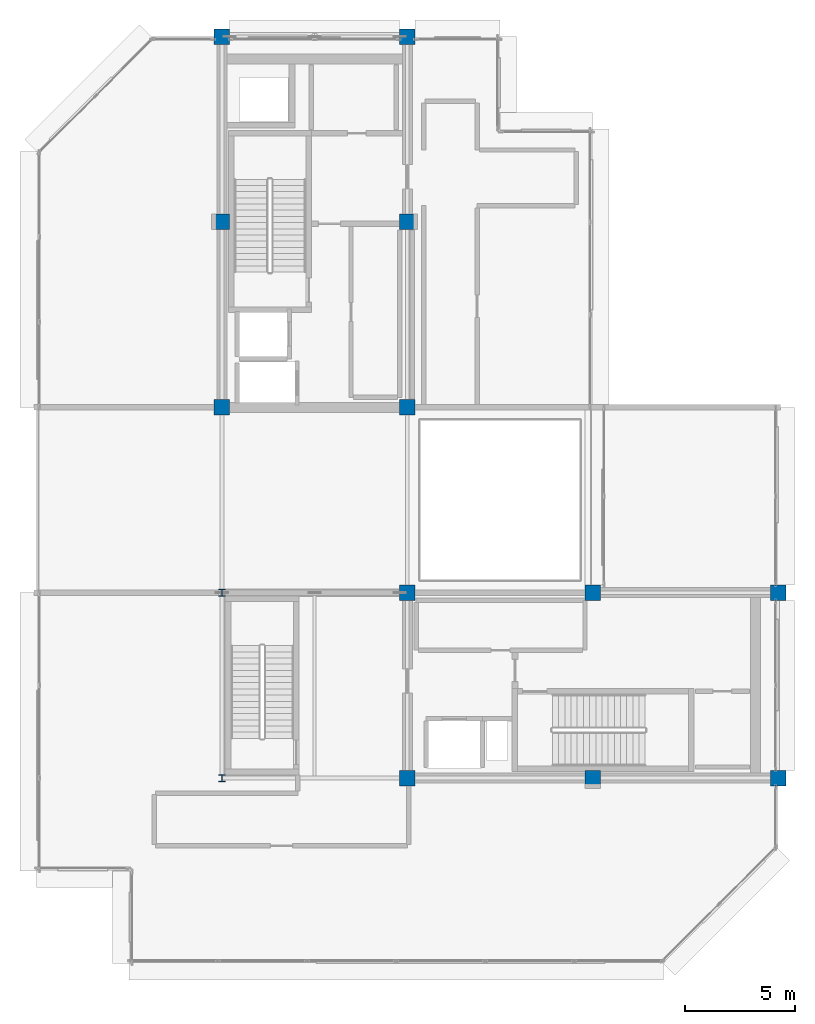
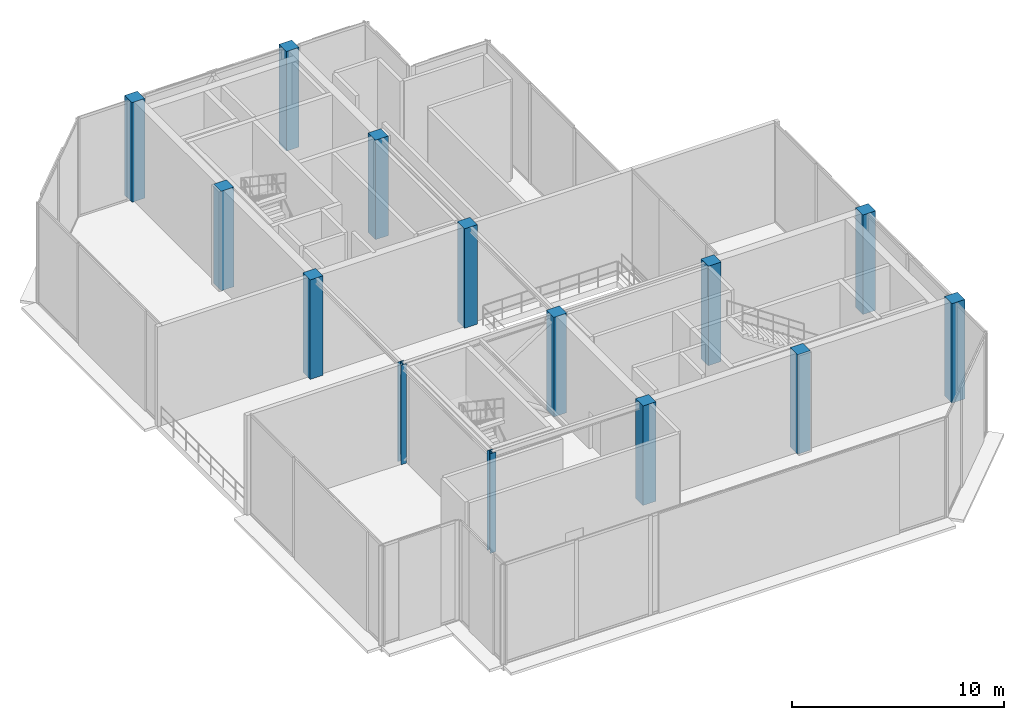
# One storey, part 1 of 19: 14 columns.
"""IFC4 building model written with IfcOpenShell, lengths in metres."""

from ifc_helpers import new_model, si_unit, direction, frame, origin, origin_2d, place, context, subcontext, project, spatial, rectangle, i_section, extrude, material, material_profile, profile_set, type_object, element, save


model = new_model("IFC4")

# Units and contexts
model_context = context("Model", 3, precision=1e-05, world=origin(), true_north=direction((0.0, 1.0)))
body_context = subcontext(model_context, "Body", "Model", "MODEL_VIEW")
ifc_project = project(units=[si_unit("LENGTHUNIT", "METRE"), si_unit("AREAUNIT", "SQUARE_METRE"), si_unit("VOLUMEUNIT", "CUBIC_METRE"), si_unit("PLANEANGLEUNIT", "RADIAN"), si_unit("MASSUNIT", "GRAM", prefix="KILO")], contexts=[model_context])

# Site, building, storey
site_placement = place(None, origin())
site = spatial("IfcSite", under=ifc_project, at=site_placement, CompositionType="ELEMENT")
building_placement = place(site_placement, origin())
building = spatial("IfcBuilding", under=site, at=building_placement, Name="Nerrivon Quay Data Exchange", CompositionType="ELEMENT")
storey_placement = place(building_placement, frame((0.0, 0.0, 327.0)))
storey = spatial("IfcBuildingStorey", under=building, at=storey_placement, Name="L78", CompositionType="ELEMENT", Elevation=327.0)

# Columns
ifc_material_1 = material(Name="Concrete N50 (50 MPa)", Category="concrete")
ifc_material_profile_1 = material_profile(ifc_material_1, rectangle(XDim=0.699951171875, YDim=0.699951171875, at=origin_2d()), Name="RC-COL-700x700")
ifc_profile_set_1 = profile_set([ifc_material_profile_1], Name="Concrete N50 (50 MPa)")
column_type_1 = type_object("IfcColumnType", Name="COL-C6-700", PredefinedType="COLUMN", material=ifc_profile_set_1)
for number, where, z_axis, x_axis, name in (
    (1, (8.39990234375, 25.199951171875, 0.0), (0.0, 0.0, 1.0), (1.0, 0.0, 0.0), "L78 Column (8.4,25.2)"),
    (2, (8.39990234375, 33.60009765625, 0.0), (0.0, 0.0, 1.0), (1.0, 0.0, 0.0), "L78 Column (8.4,33.6)"),
    (3, (8.39990234375, 42.0, 0.0), (0.0, 0.0, 1.0), (1.0, 0.0, 0.0), "L78 Column (8.4,42.0)"),
    (4, (16.800048828125, 8.39990234375, 0.0), (0.0, 0.0, 1.0), (1.0, 0.0, 0.0), "L78 Column (16.8,8.4)"),
    (5, (16.800048828125, 16.800048828125, 0.0), (0.0, 0.0, 1.0), (1.0, 0.0, 0.0), "L78 Column (16.8,16.8)"),
    (6, (16.800048828125, 25.199951171875, 0.0), (0.0, 0.0, 1.0), (1.0, 0.0, 0.0), "L78 Column (16.8,25.2)"),
    (7, (16.800048828125, 33.60009765625, 0.0), (0.0, 0.0, 1.0), (1.0, 0.0, 0.0), "L78 Column (16.8,33.6)"),
    (8, (16.800048828125, 42.0, 0.0), (0.0, 0.0, 1.0), (1.0, 0.0, 0.0), "L78 Column (16.8,42.0)"),
    (9, (25.199951171875, 8.39990234375, 0.0), (0.0, 0.0, 1.0), (1.0, 0.0, 0.0), "L78 Column (25.2,8.4)"),
    (10, (25.199951171875, 16.800048828125, 0.0), (0.0, 0.0, 1.0), (1.0, 0.0, 0.0), "L78 Column (25.2,16.8)"),
    (11, (33.60009765625, 8.39990234375, 0.0), (0.0, 0.0, 1.0), (1.0, 0.0, 0.0), "L78 Column (33.6,8.4)"),
    (12, (33.60009765625, 16.800048828125, 0.0), (0.0, 0.0, 1.0), (1.0, 0.0, 0.0), "L78 Column (33.6,16.8)"),
):
    element("IfcColumn", number, at=place(storey_placement, frame(where, z_axis=z_axis, x_axis=x_axis)), inside=storey, type_object=column_type_1, Name=name, PredefinedType="COLUMN", context=body_context, shape_type="SweptSolid", body=[
        extrude(rectangle(XDim=0.699951171875, YDim=0.699951171875, at=origin_2d()), origin(), (0.0, 0.0, 1.0), 5.72509765625),
    ])
ifc_material_2 = material(Name="Steel Grade 350", Category="steel")
ifc_material_profile_2 = material_profile(ifc_material_2, i_section(OverallWidth=0.306884765625, OverallDepth=0.31494140625, WebThickness=0.011962890625, FlangeThickness=0.018798828125, FilletRadius=0.0166015625, at=origin_2d()), Name="310UC118")
ifc_profile_set_2 = profile_set([ifc_material_profile_2], Name="Steel Grade 350")
column_type_2 = type_object("IfcColumnType", Name="COL-SC5-310UC118", PredefinedType="COLUMN", material=ifc_profile_set_2)
for number, where, z_axis, x_axis, name in (
    (13, (8.39990234375, 8.39990234375, 0.0), (0.0, 0.0, 1.0), (1.0, 0.0, 0.0), "L78 Column (8.4,8.4)"),
    (14, (8.39990234375, 16.800048828125, 0.0), (0.0, 0.0, 1.0), (1.0, 0.0, 0.0), "L78 Column (8.4,16.8)"),
):
    element("IfcColumn", number, at=place(storey_placement, frame(where, z_axis=z_axis, x_axis=x_axis)), inside=storey, type_object=column_type_2, Name=name, PredefinedType="COLUMN", context=body_context, shape_type="SweptSolid", body=[
        extrude(i_section(OverallWidth=0.306884765625, OverallDepth=0.31494140625, WebThickness=0.011962890625, FlangeThickness=0.018798828125, FilletRadius=0.0166015625, at=origin_2d()), origin(), (0.0, 0.0, 1.0), 5.72509765625),
    ])

save(model, "model.ifc")
